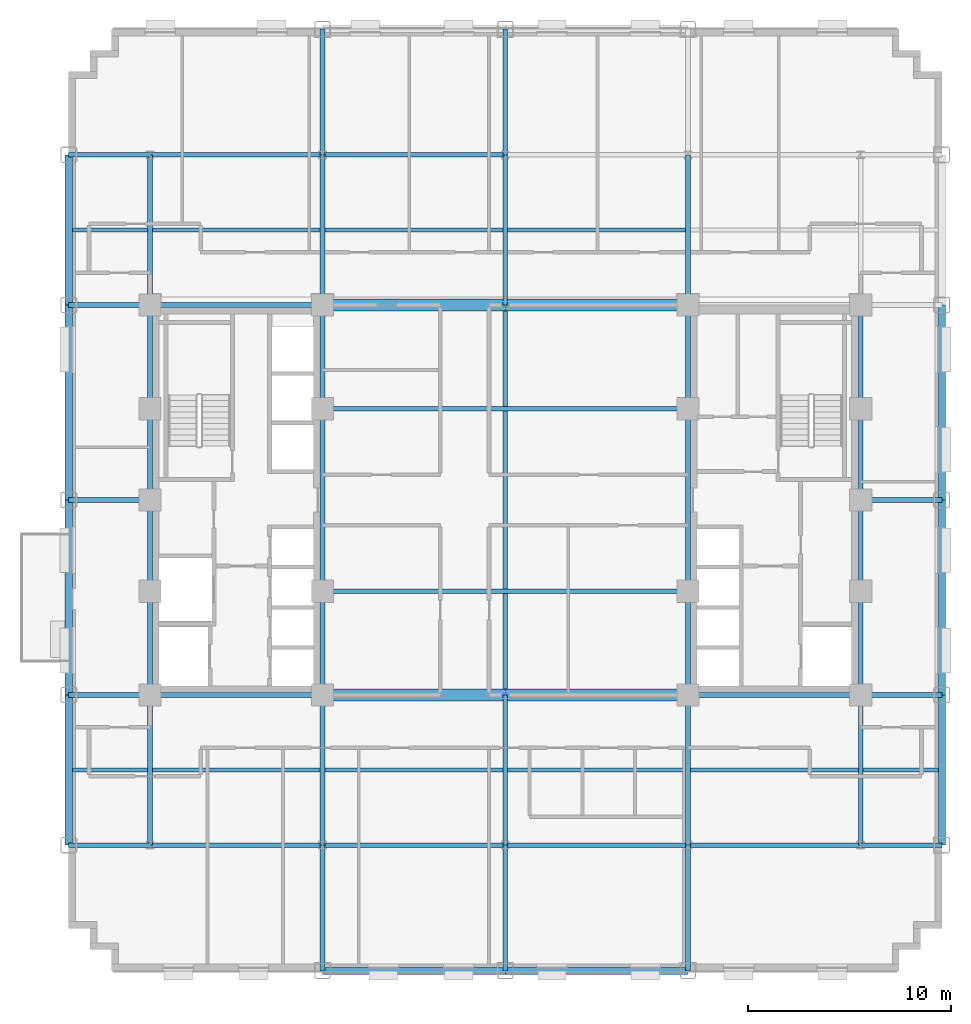
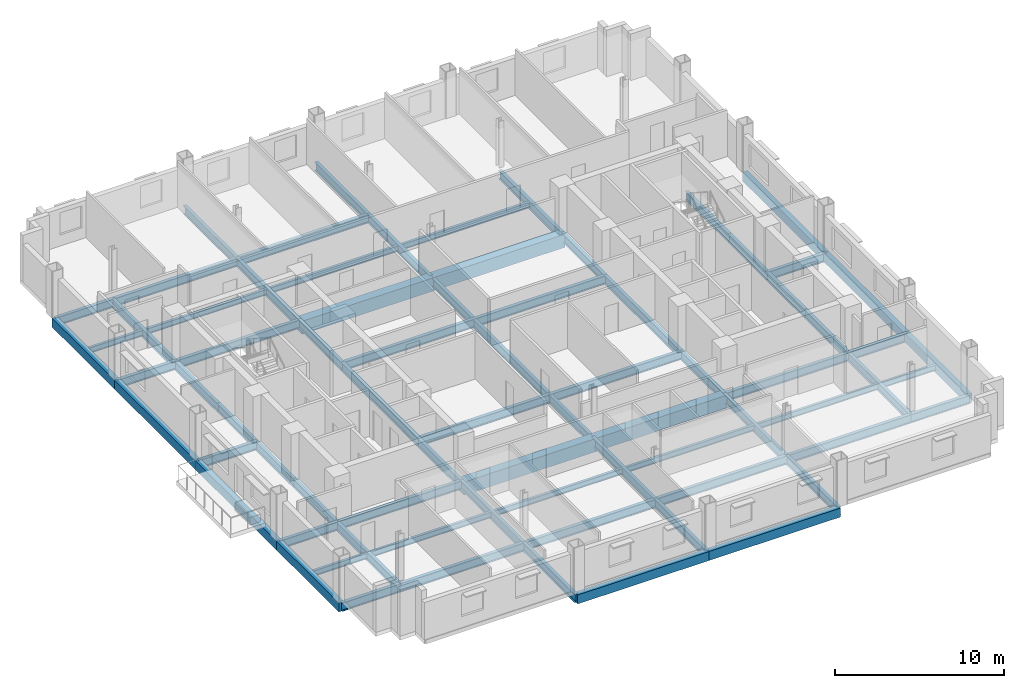
# One storey, part 4 of 14: 71 beams.
"""IFC4 building model written with IfcOpenShell, lengths in metres."""

from ifc_helpers import new_model, si_unit, direction, frame, origin, origin_2d, place, context, subcontext, project, spatial, rectangle, i_section, extrude, material, material_profile, profile_set, type_object, element, save


model = new_model("IFC4")

# Units and contexts
model_context = context("Model", 3, precision=1e-05, world=origin(), true_north=direction((0.0, 1.0)))
body_context = subcontext(model_context, "Body", "Model", "MODEL_VIEW")
ifc_project = project(units=[si_unit("LENGTHUNIT", "METRE"), si_unit("AREAUNIT", "SQUARE_METRE"), si_unit("VOLUMEUNIT", "CUBIC_METRE"), si_unit("PLANEANGLEUNIT", "RADIAN"), si_unit("MASSUNIT", "GRAM", prefix="KILO")], contexts=[model_context])

# Site, building, storey
site_placement = place(None, origin())
site = spatial("IfcSite", under=ifc_project, at=site_placement, CompositionType="ELEMENT")
building_placement = place(site_placement, origin())
building = spatial("IfcBuilding", under=site, at=building_placement, Name="Nuvemarco Arch Tower", CompositionType="ELEMENT")
storey_placement = place(building_placement, frame((0.0, 0.0, 60.449951171875)))
storey = spatial("IfcBuildingStorey", under=building, at=storey_placement, Name="L15", CompositionType="ELEMENT", Elevation=60.449951171875)

# Beams
ifc_material_1 = material(Name="Concrete C60/75", Category="concrete")
ifc_material_profile_1 = material_profile(ifc_material_1, rectangle(XDim=0.60009765625, YDim=0.949951171875, at=origin_2d()), Name="RC-BM-600x950")
ifc_profile_set_1 = profile_set([ifc_material_profile_1], Name="Concrete C60/75")
beam_type_1 = type_object("IfcBeamType", Name="BM-COUP-RC", PredefinedType="LINTEL", material=ifc_profile_set_1)
for number, where, z_axis, x_axis, name in (
    (1, (-9.0, -9.60009765625, -0.7548828125), (1.0, 0.0, 0.0), (0.0, 1.0, 0.0), "L15 structural beam BGEW_L15_0_-9.6_-9.0"),
    (2, (0.0, -9.60009765625, -0.7548828125), (1.0, 0.0, 0.0), (0.0, 1.0, 0.0), "L15 structural beam BGEW_L15_0_-9.6_+0.0"),
    (3, (-9.0, 9.60009765625, -0.7548828125), (1.0, 0.0, 0.0), (0.0, 1.0, 0.0), "L15 structural beam BGEW_L15_0_+9.6_-9.0"),
    (4, (0.0, 9.60009765625, -0.7548828125), (1.0, 0.0, 0.0), (0.0, 1.0, 0.0), "L15 structural beam BGEW_L15_0_+9.6_+0.0"),
):
    element("IfcBeam", number, at=place(storey_placement, frame(where, z_axis=z_axis, x_axis=x_axis)), inside=storey, type_object=beam_type_1, Name=name, PredefinedType="LINTEL", context=body_context, shape_type="SweptSolid", body=[
        extrude(rectangle(XDim=0.60009765625, YDim=0.949951171875, at=origin_2d()), origin(), (0.0, 0.0, 1.0), 9.0),
    ])
ifc_material_2 = material(Name="Steel S355", Category="steel")
ifc_material_profile_2 = material_profile(ifc_material_2, i_section(OverallWidth=0.22998046875, OverallDepth=0.616943359375, WebThickness=0.01318359375, FlangeThickness=0.022216796875, FilletRadius=0.01611328125, at=origin_2d()), Name="W610x140")
ifc_profile_set_2 = profile_set([ifc_material_profile_2], Name="Steel S355")
beam_type_2 = type_object("IfcBeamType", Name="BM-GIRD-610", PredefinedType="BEAM", material=ifc_profile_set_2)
beam_1_placement = place(storey_placement, frame((-17.5, -17.0, -0.58837890625), z_axis=(0.0, 1.0, 0.0), x_axis=(-1.0, 0.0, 0.0)))
element("IfcBeam", 5, at=beam_1_placement, inside=storey, type_object=beam_type_2, Name="L15 structural beam BGNS_L15_0_-17.5_-17.0", PredefinedType="BEAM", context=body_context, shape_type="SweptSolid", body=[
    extrude(i_section(OverallWidth=0.22998046875, OverallDepth=0.616943359375, WebThickness=0.01318359375, FlangeThickness=0.022216796875, FilletRadius=0.01611328125, at=origin_2d()), origin(), (0.0, 0.0, 1.0), 7.39990234375),
])
beam_2_placement = place(storey_placement, frame((-17.5, -9.60009765625, -0.58837890625), z_axis=(0.0, 1.0, 0.0), x_axis=(-1.0, 0.0, 0.0)))
element("IfcBeam", 6, at=beam_2_placement, inside=storey, type_object=beam_type_2, Name="L15 structural beam BGNS_L15_0_-17.5_-9.6", PredefinedType="BEAM", context=body_context, shape_type="SweptSolid", body=[
    extrude(i_section(OverallWidth=0.22998046875, OverallDepth=0.616943359375, WebThickness=0.01318359375, FlangeThickness=0.022216796875, FilletRadius=0.01611328125, at=origin_2d()), origin(), (0.0, 0.0, 1.0), 5.10009765625),
])
for number, where, z_axis, x_axis, name in (
    (7, (-17.5, -4.5, -0.58837890625), (0.0, 1.0, 0.0), (-1.0, 0.0, 0.0), "L15 structural beam BGNS_L15_0_-17.5_-4.5"),
    (8, (-17.5, 0.0, -0.58837890625), (0.0, 1.0, 0.0), (-1.0, 0.0, 0.0), "L15 structural beam BGNS_L15_0_-17.5_+0.0"),
):
    element("IfcBeam", number, at=place(storey_placement, frame(where, z_axis=z_axis, x_axis=x_axis)), inside=storey, type_object=beam_type_2, Name=name, PredefinedType="BEAM", context=body_context, shape_type="SweptSolid", body=[
        extrude(i_section(OverallWidth=0.22998046875, OverallDepth=0.616943359375, WebThickness=0.01318359375, FlangeThickness=0.022216796875, FilletRadius=0.01611328125, at=origin_2d()), origin(), (0.0, 0.0, 1.0), 4.5),
    ])
beam_3_placement = place(storey_placement, frame((-17.5, 4.5, -0.58837890625), z_axis=(0.0, 1.0, 0.0), x_axis=(-1.0, 0.0, 0.0)))
element("IfcBeam", 9, at=beam_3_placement, inside=storey, type_object=beam_type_2, Name="L15 structural beam BGNS_L15_0_-17.5_+4.5", PredefinedType="BEAM", context=body_context, shape_type="SweptSolid", body=[
    extrude(i_section(OverallWidth=0.22998046875, OverallDepth=0.616943359375, WebThickness=0.01318359375, FlangeThickness=0.022216796875, FilletRadius=0.01611328125, at=origin_2d()), origin(), (0.0, 0.0, 1.0), 5.10009765625),
])
beam_4_placement = place(storey_placement, frame((-17.5, 9.60009765625, -0.58837890625), z_axis=(0.0, 1.0, 0.0), x_axis=(-1.0, 0.0, 0.0)))
element("IfcBeam", 10, at=beam_4_placement, inside=storey, type_object=beam_type_2, Name="L15 structural beam BGNS_L15_0_-17.5_+9.6", PredefinedType="BEAM", context=body_context, shape_type="SweptSolid", body=[
    extrude(i_section(OverallWidth=0.22998046875, OverallDepth=0.616943359375, WebThickness=0.01318359375, FlangeThickness=0.022216796875, FilletRadius=0.01611328125, at=origin_2d()), origin(), (0.0, 0.0, 1.0), 7.39990234375),
])
beam_5_placement = place(storey_placement, frame((-9.0, -23.199951171875, -0.58837890625), z_axis=(0.0, 1.0, 0.0), x_axis=(-1.0, 0.0, 0.0)))
element("IfcBeam", 11, at=beam_5_placement, inside=storey, type_object=beam_type_2, Name="L15 structural beam BGNS_L15_0_-9.0_-23.2", PredefinedType="BEAM", context=body_context, shape_type="SweptSolid", body=[
    extrude(i_section(OverallWidth=0.22998046875, OverallDepth=0.616943359375, WebThickness=0.01318359375, FlangeThickness=0.022216796875, FilletRadius=0.01611328125, at=origin_2d()), origin(), (0.0, 0.0, 1.0), 6.199951171875),
])
beam_6_placement = place(storey_placement, frame((-9.0, -17.0, -0.58837890625), z_axis=(0.0, 1.0, 0.0), x_axis=(-1.0, 0.0, 0.0)))
element("IfcBeam", 12, at=beam_6_placement, inside=storey, type_object=beam_type_2, Name="L15 structural beam BGNS_L15_0_-9.0_-17.0", PredefinedType="BEAM", context=body_context, shape_type="SweptSolid", body=[
    extrude(i_section(OverallWidth=0.22998046875, OverallDepth=0.616943359375, WebThickness=0.01318359375, FlangeThickness=0.022216796875, FilletRadius=0.01611328125, at=origin_2d()), origin(), (0.0, 0.0, 1.0), 7.39990234375),
])
beam_7_placement = place(storey_placement, frame((-9.0, -9.60009765625, -0.58837890625), z_axis=(0.0, 1.0, 0.0), x_axis=(-1.0, 0.0, 0.0)))
element("IfcBeam", 13, at=beam_7_placement, inside=storey, type_object=beam_type_2, Name="L15 structural beam BGNS_L15_0_-9.0_-9.6", PredefinedType="BEAM", context=body_context, shape_type="SweptSolid", body=[
    extrude(i_section(OverallWidth=0.22998046875, OverallDepth=0.616943359375, WebThickness=0.01318359375, FlangeThickness=0.022216796875, FilletRadius=0.01611328125, at=origin_2d()), origin(), (0.0, 0.0, 1.0), 5.10009765625),
])
beam_8_placement = place(storey_placement, frame((-9.0, -4.5, -0.58837890625), z_axis=(0.0, 1.0, 0.0), x_axis=(-1.0, 0.0, 0.0)))
element("IfcBeam", 14, at=beam_8_placement, inside=storey, type_object=beam_type_2, Name="L15 structural beam BGNS_L15_0_-9.0_-4.5", PredefinedType="BEAM", context=body_context, shape_type="SweptSolid", body=[
    extrude(i_section(OverallWidth=0.22998046875, OverallDepth=0.616943359375, WebThickness=0.01318359375, FlangeThickness=0.022216796875, FilletRadius=0.01611328125, at=origin_2d()), origin(), (0.0, 0.0, 1.0), 9.0),
])
beam_9_placement = place(storey_placement, frame((-9.0, 4.5, -0.58837890625), z_axis=(0.0, 1.0, 0.0), x_axis=(-1.0, 0.0, 0.0)))
element("IfcBeam", 15, at=beam_9_placement, inside=storey, type_object=beam_type_2, Name="L15 structural beam BGNS_L15_0_-9.0_+4.5", PredefinedType="BEAM", context=body_context, shape_type="SweptSolid", body=[
    extrude(i_section(OverallWidth=0.22998046875, OverallDepth=0.616943359375, WebThickness=0.01318359375, FlangeThickness=0.022216796875, FilletRadius=0.01611328125, at=origin_2d()), origin(), (0.0, 0.0, 1.0), 5.10009765625),
])
beam_10_placement = place(storey_placement, frame((-9.0, 9.60009765625, -0.58837890625), z_axis=(0.0, 1.0, 0.0), x_axis=(-1.0, 0.0, 0.0)))
element("IfcBeam", 16, at=beam_10_placement, inside=storey, type_object=beam_type_2, Name="L15 structural beam BGNS_L15_0_-9.0_+9.6", PredefinedType="BEAM", context=body_context, shape_type="SweptSolid", body=[
    extrude(i_section(OverallWidth=0.22998046875, OverallDepth=0.616943359375, WebThickness=0.01318359375, FlangeThickness=0.022216796875, FilletRadius=0.01611328125, at=origin_2d()), origin(), (0.0, 0.0, 1.0), 7.39990234375),
])
for number, where, z_axis, x_axis, name in (
    (17, (-9.0, 17.0, -0.58837890625), (0.0, 1.0, 0.0), (-1.0, 0.0, 0.0), "L15 structural beam BGNS_L15_0_-9.0_+17.0"),
    (18, (0.0, -23.199951171875, -0.58837890625), (0.0, 1.0, 0.0), (-1.0, 0.0, 0.0), "L15 structural beam BGNS_L15_0_+0.0_-23.2"),
):
    element("IfcBeam", number, at=place(storey_placement, frame(where, z_axis=z_axis, x_axis=x_axis)), inside=storey, type_object=beam_type_2, Name=name, PredefinedType="BEAM", context=body_context, shape_type="SweptSolid", body=[
        extrude(i_section(OverallWidth=0.22998046875, OverallDepth=0.616943359375, WebThickness=0.01318359375, FlangeThickness=0.022216796875, FilletRadius=0.01611328125, at=origin_2d()), origin(), (0.0, 0.0, 1.0), 6.199951171875),
    ])
beam_11_placement = place(storey_placement, frame((0.0, -17.0, -0.58837890625), z_axis=(0.0, 1.0, 0.0), x_axis=(-1.0, 0.0, 0.0)))
element("IfcBeam", 19, at=beam_11_placement, inside=storey, type_object=beam_type_2, Name="L15 structural beam BGNS_L15_0_+0.0_-17.0", PredefinedType="BEAM", context=body_context, shape_type="SweptSolid", body=[
    extrude(i_section(OverallWidth=0.22998046875, OverallDepth=0.616943359375, WebThickness=0.01318359375, FlangeThickness=0.022216796875, FilletRadius=0.01611328125, at=origin_2d()), origin(), (0.0, 0.0, 1.0), 7.39990234375),
])
beam_12_placement = place(storey_placement, frame((0.0, -9.60009765625, -0.58837890625), z_axis=(0.0, 1.0, 0.0), x_axis=(-1.0, 0.0, 0.0)))
element("IfcBeam", 20, at=beam_12_placement, inside=storey, type_object=beam_type_2, Name="L15 structural beam BGNS_L15_0_+0.0_-9.6", PredefinedType="BEAM", context=body_context, shape_type="SweptSolid", body=[
    extrude(i_section(OverallWidth=0.22998046875, OverallDepth=0.616943359375, WebThickness=0.01318359375, FlangeThickness=0.022216796875, FilletRadius=0.01611328125, at=origin_2d()), origin(), (0.0, 0.0, 1.0), 19.2001953125),
])
beam_13_placement = place(storey_placement, frame((0.0, 9.60009765625, -0.58837890625), z_axis=(0.0, 1.0, 0.0), x_axis=(-1.0, 0.0, 0.0)))
element("IfcBeam", 21, at=beam_13_placement, inside=storey, type_object=beam_type_2, Name="L15 structural beam BGNS_L15_0_+0.0_+9.6", PredefinedType="BEAM", context=body_context, shape_type="SweptSolid", body=[
    extrude(i_section(OverallWidth=0.22998046875, OverallDepth=0.616943359375, WebThickness=0.01318359375, FlangeThickness=0.022216796875, FilletRadius=0.01611328125, at=origin_2d()), origin(), (0.0, 0.0, 1.0), 7.39990234375),
])
for number, where, z_axis, x_axis, name in (
    (22, (0.0, 17.0, -0.58837890625), (0.0, 1.0, 0.0), (-1.0, 0.0, 0.0), "L15 structural beam BGNS_L15_0_+0.0_+17.0"),
    (23, (9.0, -23.199951171875, -0.58837890625), (0.0, 1.0, 0.0), (-1.0, 0.0, 0.0), "L15 structural beam BGNS_L15_0_+9.0_-23.2"),
):
    element("IfcBeam", number, at=place(storey_placement, frame(where, z_axis=z_axis, x_axis=x_axis)), inside=storey, type_object=beam_type_2, Name=name, PredefinedType="BEAM", context=body_context, shape_type="SweptSolid", body=[
        extrude(i_section(OverallWidth=0.22998046875, OverallDepth=0.616943359375, WebThickness=0.01318359375, FlangeThickness=0.022216796875, FilletRadius=0.01611328125, at=origin_2d()), origin(), (0.0, 0.0, 1.0), 6.199951171875),
    ])
beam_14_placement = place(storey_placement, frame((9.0, -17.0, -0.58837890625), z_axis=(0.0, 1.0, 0.0), x_axis=(-1.0, 0.0, 0.0)))
element("IfcBeam", 24, at=beam_14_placement, inside=storey, type_object=beam_type_2, Name="L15 structural beam BGNS_L15_0_+9.0_-17.0", PredefinedType="BEAM", context=body_context, shape_type="SweptSolid", body=[
    extrude(i_section(OverallWidth=0.22998046875, OverallDepth=0.616943359375, WebThickness=0.01318359375, FlangeThickness=0.022216796875, FilletRadius=0.01611328125, at=origin_2d()), origin(), (0.0, 0.0, 1.0), 7.39990234375),
])
beam_15_placement = place(storey_placement, frame((9.0, -9.60009765625, -0.58837890625), z_axis=(0.0, 1.0, 0.0), x_axis=(-1.0, 0.0, 0.0)))
element("IfcBeam", 25, at=beam_15_placement, inside=storey, type_object=beam_type_2, Name="L15 structural beam BGNS_L15_0_+9.0_-9.6", PredefinedType="BEAM", context=body_context, shape_type="SweptSolid", body=[
    extrude(i_section(OverallWidth=0.22998046875, OverallDepth=0.616943359375, WebThickness=0.01318359375, FlangeThickness=0.022216796875, FilletRadius=0.01611328125, at=origin_2d()), origin(), (0.0, 0.0, 1.0), 5.10009765625),
])
beam_16_placement = place(storey_placement, frame((9.0, -4.5, -0.58837890625), z_axis=(0.0, 1.0, 0.0), x_axis=(-1.0, 0.0, 0.0)))
element("IfcBeam", 26, at=beam_16_placement, inside=storey, type_object=beam_type_2, Name="L15 structural beam BGNS_L15_0_+9.0_-4.5", PredefinedType="BEAM", context=body_context, shape_type="SweptSolid", body=[
    extrude(i_section(OverallWidth=0.22998046875, OverallDepth=0.616943359375, WebThickness=0.01318359375, FlangeThickness=0.022216796875, FilletRadius=0.01611328125, at=origin_2d()), origin(), (0.0, 0.0, 1.0), 9.0),
])
beam_17_placement = place(storey_placement, frame((9.0, 4.5, -0.58837890625), z_axis=(0.0, 1.0, 0.0), x_axis=(-1.0, 0.0, 0.0)))
element("IfcBeam", 27, at=beam_17_placement, inside=storey, type_object=beam_type_2, Name="L15 structural beam BGNS_L15_0_+9.0_+4.5", PredefinedType="BEAM", context=body_context, shape_type="SweptSolid", body=[
    extrude(i_section(OverallWidth=0.22998046875, OverallDepth=0.616943359375, WebThickness=0.01318359375, FlangeThickness=0.022216796875, FilletRadius=0.01611328125, at=origin_2d()), origin(), (0.0, 0.0, 1.0), 5.10009765625),
])
for number, where, z_axis, x_axis, name in (
    (28, (9.0, 9.60009765625, -0.58837890625), (0.0, 1.0, 0.0), (-1.0, 0.0, 0.0), "L15 structural beam BGNS_L15_0_+9.0_+9.6"),
    (29, (17.5, -17.0, -0.58837890625), (0.0, 1.0, 0.0), (-1.0, 0.0, 0.0), "L15 structural beam BGNS_L15_0_+17.5_-17.0"),
):
    element("IfcBeam", number, at=place(storey_placement, frame(where, z_axis=z_axis, x_axis=x_axis)), inside=storey, type_object=beam_type_2, Name=name, PredefinedType="BEAM", context=body_context, shape_type="SweptSolid", body=[
        extrude(i_section(OverallWidth=0.22998046875, OverallDepth=0.616943359375, WebThickness=0.01318359375, FlangeThickness=0.022216796875, FilletRadius=0.01611328125, at=origin_2d()), origin(), (0.0, 0.0, 1.0), 7.39990234375),
    ])
beam_18_placement = place(storey_placement, frame((17.5, -9.60009765625, -0.58837890625), z_axis=(0.0, 1.0, 0.0), x_axis=(-1.0, 0.0, 0.0)))
element("IfcBeam", 30, at=beam_18_placement, inside=storey, type_object=beam_type_2, Name="L15 structural beam BGNS_L15_0_+17.5_-9.6", PredefinedType="BEAM", context=body_context, shape_type="SweptSolid", body=[
    extrude(i_section(OverallWidth=0.22998046875, OverallDepth=0.616943359375, WebThickness=0.01318359375, FlangeThickness=0.022216796875, FilletRadius=0.01611328125, at=origin_2d()), origin(), (0.0, 0.0, 1.0), 5.10009765625),
])
for number, where, z_axis, x_axis, name in (
    (31, (17.5, -4.5, -0.58837890625), (0.0, 1.0, 0.0), (-1.0, 0.0, 0.0), "L15 structural beam BGNS_L15_0_+17.5_-4.5"),
    (32, (17.5, 0.0, -0.58837890625), (0.0, 1.0, 0.0), (-1.0, 0.0, 0.0), "L15 structural beam BGNS_L15_0_+17.5_+0.0"),
):
    element("IfcBeam", number, at=place(storey_placement, frame(where, z_axis=z_axis, x_axis=x_axis)), inside=storey, type_object=beam_type_2, Name=name, PredefinedType="BEAM", context=body_context, shape_type="SweptSolid", body=[
        extrude(i_section(OverallWidth=0.22998046875, OverallDepth=0.616943359375, WebThickness=0.01318359375, FlangeThickness=0.022216796875, FilletRadius=0.01611328125, at=origin_2d()), origin(), (0.0, 0.0, 1.0), 4.5),
    ])
beam_19_placement = place(storey_placement, frame((17.5, 4.5, -0.58837890625), z_axis=(0.0, 1.0, 0.0), x_axis=(-1.0, 0.0, 0.0)))
element("IfcBeam", 33, at=beam_19_placement, inside=storey, type_object=beam_type_2, Name="L15 structural beam BGNS_L15_0_+17.5_+4.5", PredefinedType="BEAM", context=body_context, shape_type="SweptSolid", body=[
    extrude(i_section(OverallWidth=0.22998046875, OverallDepth=0.616943359375, WebThickness=0.01318359375, FlangeThickness=0.022216796875, FilletRadius=0.01611328125, at=origin_2d()), origin(), (0.0, 0.0, 1.0), 5.10009765625),
])
beam_20_placement = place(storey_placement, frame((-21.5, -17.0, -0.58837890625), z_axis=(1.0, 0.0, 0.0), x_axis=(0.0, 1.0, 0.0)))
element("IfcBeam", 34, at=beam_20_placement, inside=storey, type_object=beam_type_2, Name="L15 structural beam BGEW_L15_0_-17.0_-21.5", PredefinedType="BEAM", context=body_context, shape_type="SweptSolid", body=[
    extrude(i_section(OverallWidth=0.22998046875, OverallDepth=0.616943359375, WebThickness=0.01318359375, FlangeThickness=0.022216796875, FilletRadius=0.01611328125, at=origin_2d()), origin(), (0.0, 0.0, 1.0), 4.0),
])
beam_21_placement = place(storey_placement, frame((-17.5, -17.0, -0.58837890625), z_axis=(1.0, 0.0, 0.0), x_axis=(0.0, 1.0, 0.0)))
element("IfcBeam", 35, at=beam_21_placement, inside=storey, type_object=beam_type_2, Name="L15 structural beam BGEW_L15_0_-17.0_-17.5", PredefinedType="BEAM", context=body_context, shape_type="SweptSolid", body=[
    extrude(i_section(OverallWidth=0.22998046875, OverallDepth=0.616943359375, WebThickness=0.01318359375, FlangeThickness=0.022216796875, FilletRadius=0.01611328125, at=origin_2d()), origin(), (0.0, 0.0, 1.0), 8.5),
])
for number, where, z_axis, x_axis, name in (
    (36, (-9.0, -17.0, -0.58837890625), (1.0, 0.0, 0.0), (0.0, 1.0, 0.0), "L15 structural beam BGEW_L15_0_-17.0_-9.0"),
    (37, (0.0, -17.0, -0.58837890625), (1.0, 0.0, 0.0), (0.0, 1.0, 0.0), "L15 structural beam BGEW_L15_0_-17.0_+0.0"),
):
    element("IfcBeam", number, at=place(storey_placement, frame(where, z_axis=z_axis, x_axis=x_axis)), inside=storey, type_object=beam_type_2, Name=name, PredefinedType="BEAM", context=body_context, shape_type="SweptSolid", body=[
        extrude(i_section(OverallWidth=0.22998046875, OverallDepth=0.616943359375, WebThickness=0.01318359375, FlangeThickness=0.022216796875, FilletRadius=0.01611328125, at=origin_2d()), origin(), (0.0, 0.0, 1.0), 9.0),
    ])
beam_22_placement = place(storey_placement, frame((9.0, -17.0, -0.58837890625), z_axis=(1.0, 0.0, 0.0), x_axis=(0.0, 1.0, 0.0)))
element("IfcBeam", 38, at=beam_22_placement, inside=storey, type_object=beam_type_2, Name="L15 structural beam BGEW_L15_0_-17.0_+9.0", PredefinedType="BEAM", context=body_context, shape_type="SweptSolid", body=[
    extrude(i_section(OverallWidth=0.22998046875, OverallDepth=0.616943359375, WebThickness=0.01318359375, FlangeThickness=0.022216796875, FilletRadius=0.01611328125, at=origin_2d()), origin(), (0.0, 0.0, 1.0), 8.5),
])
for number, where, z_axis, x_axis, name in (
    (39, (17.5, -17.0, -0.58837890625), (1.0, 0.0, 0.0), (0.0, 1.0, 0.0), "L15 structural beam BGEW_L15_0_-17.0_+17.5"),
    (40, (-21.5, -9.60009765625, -0.58837890625), (1.0, 0.0, 0.0), (0.0, 1.0, 0.0), "L15 structural beam BGEW_L15_0_-9.6_-21.5"),
):
    element("IfcBeam", number, at=place(storey_placement, frame(where, z_axis=z_axis, x_axis=x_axis)), inside=storey, type_object=beam_type_2, Name=name, PredefinedType="BEAM", context=body_context, shape_type="SweptSolid", body=[
        extrude(i_section(OverallWidth=0.22998046875, OverallDepth=0.616943359375, WebThickness=0.01318359375, FlangeThickness=0.022216796875, FilletRadius=0.01611328125, at=origin_2d()), origin(), (0.0, 0.0, 1.0), 4.0),
    ])
for number, where, z_axis, x_axis, name in (
    (41, (-17.5, -9.60009765625, -0.58837890625), (1.0, 0.0, 0.0), (0.0, 1.0, 0.0), "L15 structural beam BGEW_L15_0_-9.6_-17.5"),
    (42, (9.0, -9.60009765625, -0.58837890625), (1.0, 0.0, 0.0), (0.0, 1.0, 0.0), "L15 structural beam BGEW_L15_0_-9.6_+9.0"),
):
    element("IfcBeam", number, at=place(storey_placement, frame(where, z_axis=z_axis, x_axis=x_axis)), inside=storey, type_object=beam_type_2, Name=name, PredefinedType="BEAM", context=body_context, shape_type="SweptSolid", body=[
        extrude(i_section(OverallWidth=0.22998046875, OverallDepth=0.616943359375, WebThickness=0.01318359375, FlangeThickness=0.022216796875, FilletRadius=0.01611328125, at=origin_2d()), origin(), (0.0, 0.0, 1.0), 8.5),
    ])
beam_23_placement = place(storey_placement, frame((17.5, -9.60009765625, -0.58837890625), z_axis=(1.0, 0.0, 0.0), x_axis=(0.0, 1.0, 0.0)))
element("IfcBeam", 43, at=beam_23_placement, inside=storey, type_object=beam_type_2, Name="L15 structural beam BGEW_L15_0_-9.6_+17.5", PredefinedType="BEAM", context=body_context, shape_type="SweptSolid", body=[
    extrude(i_section(OverallWidth=0.22998046875, OverallDepth=0.616943359375, WebThickness=0.01318359375, FlangeThickness=0.022216796875, FilletRadius=0.01611328125, at=origin_2d()), origin(), (0.0, 0.0, 1.0), 4.0),
])
beam_24_placement = place(storey_placement, frame((-9.0, -4.5, -0.58837890625), z_axis=(1.0, 0.0, 0.0), x_axis=(0.0, 1.0, 0.0)))
element("IfcBeam", 44, at=beam_24_placement, inside=storey, type_object=beam_type_2, Name="L15 structural beam BGEW_L15_0_-4.5_-9.0", PredefinedType="BEAM", context=body_context, shape_type="SweptSolid", body=[
    extrude(i_section(OverallWidth=0.22998046875, OverallDepth=0.616943359375, WebThickness=0.01318359375, FlangeThickness=0.022216796875, FilletRadius=0.01611328125, at=origin_2d()), origin(), (0.0, 0.0, 1.0), 18.0),
])
for number, where, z_axis, x_axis, name in (
    (45, (-21.5, 0.0, -0.58837890625), (1.0, 0.0, 0.0), (0.0, 1.0, 0.0), "L15 structural beam BGEW_L15_0_+0.0_-21.5"),
    (46, (17.5, 0.0, -0.58837890625), (1.0, 0.0, 0.0), (0.0, 1.0, 0.0), "L15 structural beam BGEW_L15_0_+0.0_+17.5"),
):
    element("IfcBeam", number, at=place(storey_placement, frame(where, z_axis=z_axis, x_axis=x_axis)), inside=storey, type_object=beam_type_2, Name=name, PredefinedType="BEAM", context=body_context, shape_type="SweptSolid", body=[
        extrude(i_section(OverallWidth=0.22998046875, OverallDepth=0.616943359375, WebThickness=0.01318359375, FlangeThickness=0.022216796875, FilletRadius=0.01611328125, at=origin_2d()), origin(), (0.0, 0.0, 1.0), 4.0),
    ])
beam_25_placement = place(storey_placement, frame((-9.0, 4.5, -0.58837890625), z_axis=(1.0, 0.0, 0.0), x_axis=(0.0, 1.0, 0.0)))
element("IfcBeam", 47, at=beam_25_placement, inside=storey, type_object=beam_type_2, Name="L15 structural beam BGEW_L15_0_+4.5_-9.0", PredefinedType="BEAM", context=body_context, shape_type="SweptSolid", body=[
    extrude(i_section(OverallWidth=0.22998046875, OverallDepth=0.616943359375, WebThickness=0.01318359375, FlangeThickness=0.022216796875, FilletRadius=0.01611328125, at=origin_2d()), origin(), (0.0, 0.0, 1.0), 18.0),
])
beam_26_placement = place(storey_placement, frame((-21.5, 9.60009765625, -0.58837890625), z_axis=(1.0, 0.0, 0.0), x_axis=(0.0, 1.0, 0.0)))
element("IfcBeam", 48, at=beam_26_placement, inside=storey, type_object=beam_type_2, Name="L15 structural beam BGEW_L15_0_+9.6_-21.5", PredefinedType="BEAM", context=body_context, shape_type="SweptSolid", body=[
    extrude(i_section(OverallWidth=0.22998046875, OverallDepth=0.616943359375, WebThickness=0.01318359375, FlangeThickness=0.022216796875, FilletRadius=0.01611328125, at=origin_2d()), origin(), (0.0, 0.0, 1.0), 4.0),
])
beam_27_placement = place(storey_placement, frame((-17.5, 9.60009765625, -0.58837890625), z_axis=(1.0, 0.0, 0.0), x_axis=(0.0, 1.0, 0.0)))
element("IfcBeam", 49, at=beam_27_placement, inside=storey, type_object=beam_type_2, Name="L15 structural beam BGEW_L15_0_+9.6_-17.5", PredefinedType="BEAM", context=body_context, shape_type="SweptSolid", body=[
    extrude(i_section(OverallWidth=0.22998046875, OverallDepth=0.616943359375, WebThickness=0.01318359375, FlangeThickness=0.022216796875, FilletRadius=0.01611328125, at=origin_2d()), origin(), (0.0, 0.0, 1.0), 8.5),
])
beam_28_placement = place(storey_placement, frame((-21.5, 17.0, -0.58837890625), z_axis=(1.0, 0.0, 0.0), x_axis=(0.0, 1.0, 0.0)))
element("IfcBeam", 50, at=beam_28_placement, inside=storey, type_object=beam_type_2, Name="L15 structural beam BGEW_L15_0_+17.0_-21.5", PredefinedType="BEAM", context=body_context, shape_type="SweptSolid", body=[
    extrude(i_section(OverallWidth=0.22998046875, OverallDepth=0.616943359375, WebThickness=0.01318359375, FlangeThickness=0.022216796875, FilletRadius=0.01611328125, at=origin_2d()), origin(), (0.0, 0.0, 1.0), 4.0),
])
beam_29_placement = place(storey_placement, frame((-17.5, 17.0, -0.58837890625), z_axis=(1.0, 0.0, 0.0), x_axis=(0.0, 1.0, 0.0)))
element("IfcBeam", 51, at=beam_29_placement, inside=storey, type_object=beam_type_2, Name="L15 structural beam BGEW_L15_0_+17.0_-17.5", PredefinedType="BEAM", context=body_context, shape_type="SweptSolid", body=[
    extrude(i_section(OverallWidth=0.22998046875, OverallDepth=0.616943359375, WebThickness=0.01318359375, FlangeThickness=0.022216796875, FilletRadius=0.01611328125, at=origin_2d()), origin(), (0.0, 0.0, 1.0), 8.5),
])
beam_30_placement = place(storey_placement, frame((-9.0, 17.0, -0.58837890625), z_axis=(1.0, 0.0, 0.0), x_axis=(0.0, 1.0, 0.0)))
element("IfcBeam", 52, at=beam_30_placement, inside=storey, type_object=beam_type_2, Name="L15 structural beam BGEW_L15_0_+17.0_-9.0", PredefinedType="BEAM", context=body_context, shape_type="SweptSolid", body=[
    extrude(i_section(OverallWidth=0.22998046875, OverallDepth=0.616943359375, WebThickness=0.01318359375, FlangeThickness=0.022216796875, FilletRadius=0.01611328125, at=origin_2d()), origin(), (0.0, 0.0, 1.0), 9.0),
])
ifc_material_profile_3 = material_profile(ifc_material_2, i_section(OverallWidth=0.179931640625, OverallDepth=0.4130859375, WebThickness=0.009765625, FlangeThickness=0.01611328125, FilletRadius=0.014892578125, at=origin_2d()), Name="W410x75")
ifc_profile_set_3 = profile_set([ifc_material_profile_3], Name="Steel S355")
beam_type_3 = type_object("IfcBeamType", Name="BM-JOIST-410", PredefinedType="JOIST", material=ifc_profile_set_3)
beam_31_placement = place(storey_placement, frame((-21.324951171875, -13.300048828125, -0.486572265625), z_axis=(1.0, 0.0, 0.0), x_axis=(0.0, 1.0, 0.0)))
element("IfcBeam", 53, at=beam_31_placement, inside=storey, type_object=beam_type_3, Name="L15 structural beam BJ_L15_0_-13.3_-21.5", PredefinedType="JOIST", context=body_context, shape_type="SweptSolid", body=[
    extrude(i_section(OverallWidth=0.179931640625, OverallDepth=0.4130859375, WebThickness=0.009765625, FlangeThickness=0.01611328125, FilletRadius=0.014892578125, at=origin_2d()), origin(), (0.0, 0.0, 1.0), 3.7099609375),
])
beam_32_placement = place(storey_placement, frame((-17.385009765625, -13.300048828125, -0.486572265625), z_axis=(1.0, 0.0, 0.0), x_axis=(0.0, 1.0, 0.0)))
element("IfcBeam", 54, at=beam_32_placement, inside=storey, type_object=beam_type_3, Name="L15 structural beam BJ_L15_0_-13.3_-17.5", PredefinedType="JOIST", context=body_context, shape_type="SweptSolid", body=[
    extrude(i_section(OverallWidth=0.179931640625, OverallDepth=0.4130859375, WebThickness=0.009765625, FlangeThickness=0.01611328125, FilletRadius=0.014892578125, at=origin_2d()), origin(), (0.0, 0.0, 1.0), 8.27001953125),
])
for number, where, z_axis, x_axis, name in (
    (55, (-8.885009765625, -13.300048828125, -0.486572265625), (1.0, 0.0, 0.0), (0.0, 1.0, 0.0), "L15 structural beam BJ_L15_0_-13.3_-9.0"),
    (56, (0.114990234375, -13.300048828125, -0.486572265625), (1.0, 0.0, 0.0), (0.0, 1.0, 0.0), "L15 structural beam BJ_L15_0_-13.3_+0.0"),
):
    element("IfcBeam", number, at=place(storey_placement, frame(where, z_axis=z_axis, x_axis=x_axis)), inside=storey, type_object=beam_type_3, Name=name, PredefinedType="JOIST", context=body_context, shape_type="SweptSolid", body=[
        extrude(i_section(OverallWidth=0.179931640625, OverallDepth=0.4130859375, WebThickness=0.009765625, FlangeThickness=0.01611328125, FilletRadius=0.014892578125, at=origin_2d()), origin(), (0.0, 0.0, 1.0), 8.77001953125),
    ])
beam_33_placement = place(storey_placement, frame((9.114990234375, -13.300048828125, -0.486572265625), z_axis=(1.0, 0.0, 0.0), x_axis=(0.0, 1.0, 0.0)))
element("IfcBeam", 57, at=beam_33_placement, inside=storey, type_object=beam_type_3, Name="L15 structural beam BJ_L15_0_-13.3_+9.0", PredefinedType="JOIST", context=body_context, shape_type="SweptSolid", body=[
    extrude(i_section(OverallWidth=0.179931640625, OverallDepth=0.4130859375, WebThickness=0.009765625, FlangeThickness=0.01611328125, FilletRadius=0.014892578125, at=origin_2d()), origin(), (0.0, 0.0, 1.0), 8.27001953125),
])
for number, where, z_axis, x_axis, name in (
    (58, (17.614990234375, -13.300048828125, -0.486572265625), (1.0, 0.0, 0.0), (0.0, 1.0, 0.0), "L15 structural beam BJ_L15_0_-13.3_+17.5"),
    (59, (-21.324951171875, 13.300048828125, -0.486572265625), (1.0, 0.0, 0.0), (0.0, 1.0, 0.0), "L15 structural beam BJ_L15_0_+13.3_-21.5"),
):
    element("IfcBeam", number, at=place(storey_placement, frame(where, z_axis=z_axis, x_axis=x_axis)), inside=storey, type_object=beam_type_3, Name=name, PredefinedType="JOIST", context=body_context, shape_type="SweptSolid", body=[
        extrude(i_section(OverallWidth=0.179931640625, OverallDepth=0.4130859375, WebThickness=0.009765625, FlangeThickness=0.01611328125, FilletRadius=0.014892578125, at=origin_2d()), origin(), (0.0, 0.0, 1.0), 3.7099609375),
    ])
beam_34_placement = place(storey_placement, frame((-17.385009765625, 13.300048828125, -0.486572265625), z_axis=(1.0, 0.0, 0.0), x_axis=(0.0, 1.0, 0.0)))
element("IfcBeam", 60, at=beam_34_placement, inside=storey, type_object=beam_type_3, Name="L15 structural beam BJ_L15_0_+13.3_-17.5", PredefinedType="JOIST", context=body_context, shape_type="SweptSolid", body=[
    extrude(i_section(OverallWidth=0.179931640625, OverallDepth=0.4130859375, WebThickness=0.009765625, FlangeThickness=0.01611328125, FilletRadius=0.014892578125, at=origin_2d()), origin(), (0.0, 0.0, 1.0), 8.27001953125),
])
for number, where, z_axis, x_axis, name in (
    (61, (-8.885009765625, 13.300048828125, -0.486572265625), (1.0, 0.0, 0.0), (0.0, 1.0, 0.0), "L15 structural beam BJ_L15_0_+13.3_-9.0"),
    (62, (0.114990234375, 13.300048828125, -0.486572265625), (1.0, 0.0, 0.0), (0.0, 1.0, 0.0), "L15 structural beam BJ_L15_0_+13.3_+0.0"),
):
    element("IfcBeam", number, at=place(storey_placement, frame(where, z_axis=z_axis, x_axis=x_axis)), inside=storey, type_object=beam_type_3, Name=name, PredefinedType="JOIST", context=body_context, shape_type="SweptSolid", body=[
        extrude(i_section(OverallWidth=0.179931640625, OverallDepth=0.4130859375, WebThickness=0.009765625, FlangeThickness=0.01611328125, FilletRadius=0.014892578125, at=origin_2d()), origin(), (0.0, 0.0, 1.0), 8.77001953125),
    ])
ifc_material_3 = material(Name="Precast concrete C45/55", Category="concrete")
ifc_material_profile_4 = material_profile(ifc_material_3, rectangle(XDim=0.35009765625, YDim=0.64990234375, at=origin_2d()), Name="PC-SP-350x650")
ifc_profile_set_4 = profile_set([ifc_material_profile_4], Name="Precast concrete C45/55")
beam_type_4 = type_object("IfcBeamType", Name="BM-SPAN-RC", PredefinedType="SPANDREL", material=ifc_profile_set_4)
beam_35_placement = place(storey_placement, frame((-21.5, -17.0, -0.60498046875), z_axis=(0.0, 1.0, 0.0), x_axis=(-1.0, 0.0, 0.0)))
element("IfcBeam", 63, at=beam_35_placement, inside=storey, type_object=beam_type_4, Name="L15 structural beam BGNS_L15_0_-21.5_-17.0", PredefinedType="SPANDREL", context=body_context, shape_type="SweptSolid", body=[
    extrude(rectangle(XDim=0.35009765625, YDim=0.64990234375, at=origin_2d()), origin(), (0.0, 0.0, 1.0), 7.39990234375),
])
for number, where, z_axis, x_axis, name in (
    (64, (-21.5, -9.60009765625, -0.60498046875), (0.0, 1.0, 0.0), (-1.0, 0.0, 0.0), "L15 structural beam BGNS_L15_0_-21.5_-9.6"),
    (65, (-21.5, 0.0, -0.60498046875), (0.0, 1.0, 0.0), (-1.0, 0.0, 0.0), "L15 structural beam BGNS_L15_0_-21.5_+0.0"),
):
    element("IfcBeam", number, at=place(storey_placement, frame(where, z_axis=z_axis, x_axis=x_axis)), inside=storey, type_object=beam_type_4, Name=name, PredefinedType="SPANDREL", context=body_context, shape_type="SweptSolid", body=[
        extrude(rectangle(XDim=0.35009765625, YDim=0.64990234375, at=origin_2d()), origin(), (0.0, 0.0, 1.0), 9.60009765625),
    ])
for number, where, z_axis, x_axis, name in (
    (66, (-21.5, 9.60009765625, -0.60498046875), (0.0, 1.0, 0.0), (-1.0, 0.0, 0.0), "L15 structural beam BGNS_L15_0_-21.5_+9.6"),
    (67, (21.5, -17.0, -0.60498046875), (0.0, 1.0, 0.0), (-1.0, 0.0, 0.0), "L15 structural beam BGNS_L15_0_+21.5_-17.0"),
):
    element("IfcBeam", number, at=place(storey_placement, frame(where, z_axis=z_axis, x_axis=x_axis)), inside=storey, type_object=beam_type_4, Name=name, PredefinedType="SPANDREL", context=body_context, shape_type="SweptSolid", body=[
        extrude(rectangle(XDim=0.35009765625, YDim=0.64990234375, at=origin_2d()), origin(), (0.0, 0.0, 1.0), 7.39990234375),
    ])
for number, where, z_axis, x_axis, name in (
    (68, (21.5, -9.60009765625, -0.60498046875), (0.0, 1.0, 0.0), (-1.0, 0.0, 0.0), "L15 structural beam BGNS_L15_0_+21.5_-9.6"),
    (69, (21.5, 0.0, -0.60498046875), (0.0, 1.0, 0.0), (-1.0, 0.0, 0.0), "L15 structural beam BGNS_L15_0_+21.5_+0.0"),
):
    element("IfcBeam", number, at=place(storey_placement, frame(where, z_axis=z_axis, x_axis=x_axis)), inside=storey, type_object=beam_type_4, Name=name, PredefinedType="SPANDREL", context=body_context, shape_type="SweptSolid", body=[
        extrude(rectangle(XDim=0.35009765625, YDim=0.64990234375, at=origin_2d()), origin(), (0.0, 0.0, 1.0), 9.60009765625),
    ])
for number, where, z_axis, x_axis, name in (
    (70, (-9.0, -23.199951171875, -0.60498046875), (1.0, 0.0, 0.0), (0.0, 1.0, 0.0), "L15 structural beam BGEW_L15_0_-23.2_-9.0"),
    (71, (0.0, -23.199951171875, -0.60498046875), (1.0, 0.0, 0.0), (0.0, 1.0, 0.0), "L15 structural beam BGEW_L15_0_-23.2_+0.0"),
):
    element("IfcBeam", number, at=place(storey_placement, frame(where, z_axis=z_axis, x_axis=x_axis)), inside=storey, type_object=beam_type_4, Name=name, PredefinedType="SPANDREL", context=body_context, shape_type="SweptSolid", body=[
        extrude(rectangle(XDim=0.35009765625, YDim=0.64990234375, at=origin_2d()), origin(), (0.0, 0.0, 1.0), 9.0),
    ])

save(model, "model.ifc")
